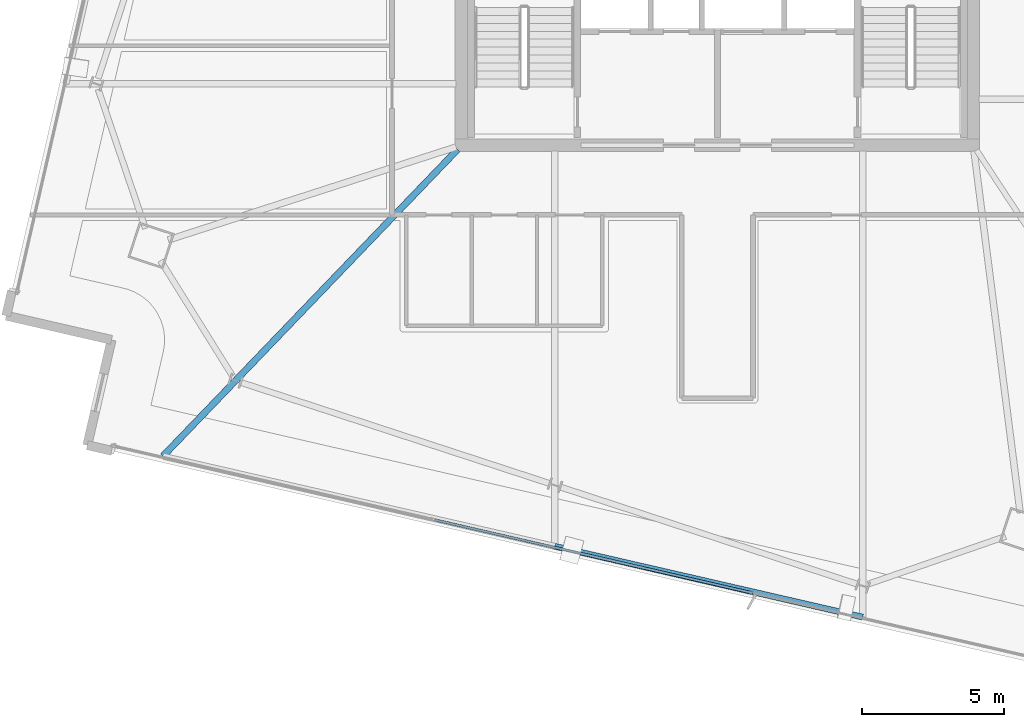
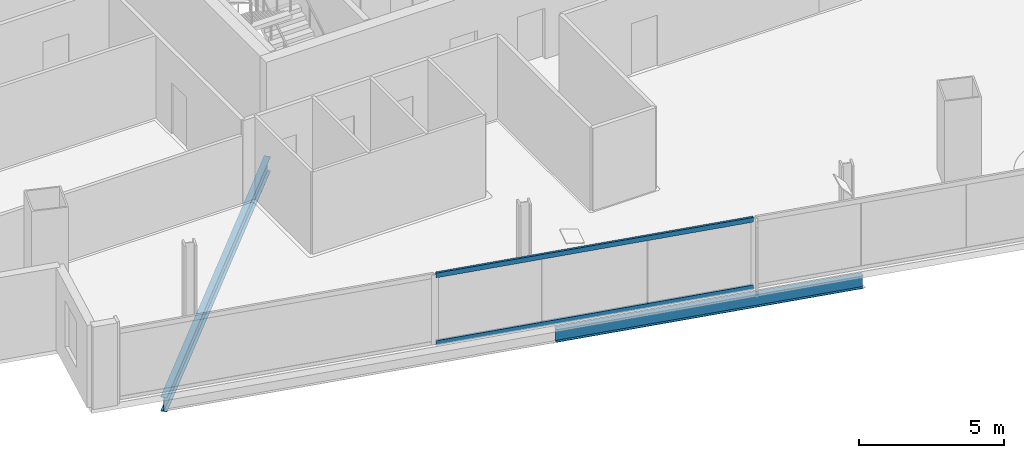
# One storey, part 3 of 28: 2 beams, 2 members, 1 element without a shape of its own.
"""IFC4 building model written with IfcOpenShell, lengths in metres."""

import ifcopenshell
import ifcopenshell.guid

model = None  # the IFC model being written
_history = None  # IfcOwnerHistory: only IFC2X3 demands one
_inside = {}  # id of a spatial element -> (the spatial element, [elements in it])
_under = {}  # id of a project, library or spatial element -> (it, [spatial elements below it])
_declared = {}  # id of a project -> (the project, [libraries it declares])
_typed = {}  # id of a type object -> (the type object, [elements of that type])
_made_of = {}  # id of a material, layer set ... -> (it, [elements and type objects made of it])


def new_model(schema):
    """Start an empty IFC model of exactly this schema.

    Asked for "IFC4X3", IfcOpenShell would pick the latest addendum, in which some entities
    have other attributes; the version numbers below select the first issue.
    IFC2X3 requires an IfcOwnerHistory on every rooted entity: one is made here for all.
    """
    global model, _history
    if schema == "IFC4X3":
        model = ifcopenshell.file(schema_version=(4, 3, 0, 0))
    else:
        model = ifcopenshell.file(schema=schema)
    _inside.clear()
    _under.clear()
    _declared.clear()
    _typed.clear()
    _made_of.clear()
    _history = None
    if model.schema == "IFC2X3":
        org = make("IfcOrganization", Name="unknown")
        user = make(
            "IfcPersonAndOrganization",
            ThePerson=make("IfcPerson", FamilyName="unknown"),
            TheOrganization=org,
        )
        app = make(
            "IfcApplication",
            ApplicationDeveloper=org,
            Version="unknown",
            ApplicationFullName="unknown",
            ApplicationIdentifier="unknown",
        )
        _history = make(
            "IfcOwnerHistory",
            OwningUser=user,
            OwningApplication=app,
            ChangeAction="ADDED",
            CreationDate=0,
        )
    return model


def make(cls, **values):
    """One entity of the class cls with the attributes given. An attribute that is None is left unset."""
    return model.create_entity(
        cls, **{name: value for name, value in values.items() if value is not None}
    )


def rooted(cls, **values):
    """An entity with a GlobalId (a new one), such as an element, a storey or a relation."""
    return make(cls, GlobalId=ifcopenshell.guid.new(), OwnerHistory=_history, **values)


def si_unit(unit_type, name, prefix=None):
    """IfcSIUnit, for example si_unit("LENGTHUNIT", "METRE", prefix="MILLI")."""
    return make("IfcSIUnit", UnitType=unit_type, Prefix=prefix, Name=name)


def assignment(units):
    """IfcUnitAssignment: the units of a project."""
    return None if units is None else make("IfcUnitAssignment", Units=units)


def point(xyz):
    """IfcCartesianPoint."""
    return None if xyz is None else make("IfcCartesianPoint", Coordinates=xyz)


def direction(xyz):
    """IfcDirection."""
    return None if xyz is None else make("IfcDirection", DirectionRatios=xyz)


def frame(location, z_axis=None, x_axis=None):
    """IfcAxis2Placement3D, a coordinate frame: its origin and axes. An axis left out is left unset."""
    return make(
        "IfcAxis2Placement3D",
        Location=point(location),
        Axis=direction(z_axis),
        RefDirection=direction(x_axis),
    )


def frame_2d(location, x_axis=None):
    """IfcAxis2Placement2D, a coordinate frame in the plane: its origin and x axis."""
    return make(
        "IfcAxis2Placement2D", Location=point(location), RefDirection=direction(x_axis)
    )


def origin():
    """The frame at (0, 0, 0) with its axes left unset."""
    return frame((0.0, 0.0, 0.0))


def origin_2d():
    """The frame at (0, 0) in the plane with its x axis left unset."""
    return frame_2d((0.0, 0.0))


def place(relative_to, where):
    """IfcLocalPlacement: puts the frame where relative to a parent placement (None: the world)."""
    return make(
        "IfcLocalPlacement", PlacementRelTo=relative_to, RelativePlacement=where
    )


def context(
    kind, dimensions, precision=None, world=None, true_north=None, identifier=None
):
    """IfcGeometricRepresentationContext, for example the 3D "Model" context."""
    return make(
        "IfcGeometricRepresentationContext",
        ContextIdentifier=identifier,
        ContextType=kind,
        CoordinateSpaceDimension=dimensions,
        Precision=precision,
        WorldCoordinateSystem=world,
        TrueNorth=true_north,
    )


def subcontext(parent, identifier, kind, view, scale=None):
    """IfcGeometricRepresentationSubContext, for example "Body" below "Model"."""
    return make(
        "IfcGeometricRepresentationSubContext",
        ContextIdentifier=identifier,
        ContextType=kind,
        ParentContext=parent,
        TargetScale=scale,
        TargetView=view,
    )


def project(units=None, contexts=None):
    """IfcProject with its units and contexts."""
    return rooted(
        "IfcProject",
        Name="project",
        RepresentationContexts=contexts,
        UnitsInContext=assignment(units),
    )


def spatial(cls, under=None, at=None, **own):
    """A site, building, storey or space (cls), placed at a placement, below another one or the project."""
    s = rooted(cls, ObjectPlacement=at, **own)
    if under is not None:
        _under.setdefault(under.id(), (under, []))[1].append(s)
    return s


def profile(cls, at=None, kind="AREA", **sizes):
    """A parametric profile (cls). Its sizes go by their IFC names, for example OverallWidth=200.0."""
    return make(cls, ProfileType=kind, Position=at, **sizes)


def hollow_rectangle(**sizes):
    """IfcRectangleHollowProfileDef."""
    return profile("IfcRectangleHollowProfileDef", **sizes)


def i_section(**sizes):
    """IfcIShapeProfileDef."""
    return profile("IfcIShapeProfileDef", **sizes)


def extrude(swept, where, along, depth):
    """IfcExtrudedAreaSolid: the profile swept, set in the frame where, extruded along a direction by depth."""
    return make(
        "IfcExtrudedAreaSolid",
        SweptArea=swept,
        Position=where,
        ExtrudedDirection=direction(along),
        Depth=depth,
    )


def shape(context_of_items, identifier, shape_type, items):
    """IfcShapeRepresentation: the items that make up one representation, for example the "Body"."""
    return make(
        "IfcShapeRepresentation",
        ContextOfItems=context_of_items,
        RepresentationIdentifier=identifier,
        RepresentationType=shape_type,
        Items=items,
    )


def material(Name=None, Category=None):
    """IfcMaterial."""
    return make("IfcMaterial", Name=Name, Category=Category)


def material_profile(
    of_material, cross_section, Name=None, Category=None, Priority=None
):
    """IfcMaterialProfile: a cross section and its material."""
    return make(
        "IfcMaterialProfile",
        Name=Name,
        Material=of_material,
        Profile=cross_section,
        Priority=Priority,
        Category=Category,
    )


def profile_set(profiles, Name=None, composite=None):
    """IfcMaterialProfileSet."""
    return make(
        "IfcMaterialProfileSet",
        Name=Name,
        MaterialProfiles=profiles,
        CompositeProfile=composite,
    )


def made_of(thing, what):
    """Note that an element or type object is made of a material, layer set ...; save() writes the relation."""
    if what is not None:
        _made_of.setdefault(what.id(), (what, []))[1].append(thing)
    return thing


def type_object(cls, material=None, **own):
    """A type object (cls), such as IfcWallType, which elements share."""
    return made_of(rooted(cls, **own), material)


def element(
    cls,
    number,
    at=None,
    inside=None,
    cuts=None,
    type_object=None,
    material=None,
    context=None,
    identifier="Body",
    shape_type=None,
    held_by="IfcProductDefinitionShape",
    body=None,
    shapes=None,
    **own,
):
    """One element of the class cls, such as IfcWall. Its Tag is "e" and its number.

    at: its placement. inside: the storey or other place that contains it. cuts: it is an
    opening in that element (IfcRelVoidsElement). A single representation is given by context,
    identifier, shape_type and body (its items); several are given by shapes. held_by: the class
    of the entity that holds the representations. save() writes the other relations.
    """
    e = rooted(cls, Tag="e%d" % number, ObjectPlacement=at, **own)
    if body is not None:
        shapes = [shape(context, identifier, shape_type, body)]
    if shapes is not None:
        e.Representation = make(held_by, Representations=shapes)
    if inside is not None:
        _inside.setdefault(inside.id(), (inside, []))[1].append(e)
    if cuts is not None:
        rooted(
            "IfcRelVoidsElement", RelatingBuildingElement=cuts, RelatedOpeningElement=e
        )
    if type_object is not None:
        _typed.setdefault(type_object.id(), (type_object, []))[1].append(e)
    return made_of(e, material)


def aggregate(whole, parts):
    """IfcRelAggregates: a whole, such as a stair, and the parts it consists of."""
    return rooted("IfcRelAggregates", RelatingObject=whole, RelatedObjects=parts)


def save(model, path):
    """Write the relations noted so far, then the file.

    IfcRelAggregates (storeys below a building ...), IfcRelContainedInSpatialStructure (elements
    in a storey), IfcRelDefinesByType, IfcRelAssociatesMaterial and IfcRelDeclares: one each for
    every whole, place, type object, material and project.
    """
    for whole, parts in _under.values():
        aggregate(whole, parts)
    for where, things in _inside.values():
        rooted(
            "IfcRelContainedInSpatialStructure",
            RelatedElements=things,
            RelatingStructure=where,
        )
    for kind, things in _typed.values():
        rooted("IfcRelDefinesByType", RelatedObjects=things, RelatingType=kind)
    for what, things in _made_of.values():
        rooted("IfcRelAssociatesMaterial", RelatedObjects=things, RelatingMaterial=what)
    for by, libraries in _declared.values():
        rooted("IfcRelDeclares", RelatingContext=by, RelatedDefinitions=libraries)
    model.write(path)


model = new_model("IFC4")

# Units and contexts
model_context = context("Model", 3, precision=1e-05, world=origin(), true_north=direction((0.0, 1.0)))
body_context = subcontext(model_context, "Body", "Model", "MODEL_VIEW")
ifc_project = project(units=[si_unit("LENGTHUNIT", "METRE"), si_unit("AREAUNIT", "SQUARE_METRE"), si_unit("VOLUMEUNIT", "CUBIC_METRE"), si_unit("PLANEANGLEUNIT", "RADIAN"), si_unit("MASSUNIT", "GRAM", prefix="KILO")], contexts=[model_context])

# Site, building, storey
site_placement = place(None, origin())
site = spatial("IfcSite", under=ifc_project, at=site_placement, CompositionType="ELEMENT")
building_placement = place(site_placement, origin())
building = spatial("IfcBuilding", under=site, at=building_placement, Name="Haldenkirk Collegiate Tower", CompositionType="ELEMENT")
storey_placement = place(building_placement, frame((0.0, 0.0, 286.199951171875)))
storey = spatial("IfcBuildingStorey", under=building, at=storey_placement, Name="L72", CompositionType="ELEMENT", Elevation=286.199951171875)

# Beams
ifc_material_1 = material(Name="Steel ASTM A992 Grade 50", Category="steel")
ifc_material_profile_1 = material_profile(ifc_material_1, i_section(OverallWidth=0.22998046875, OverallDepth=0.616943359375, WebThickness=0.01318359375, FlangeThickness=0.022216796875, at=origin_2d()), Name="W24X94")
ifc_profile_set_1 = profile_set([ifc_material_profile_1], Name="Steel ASTM A992 Grade 50")
beam_type_1 = type_object("IfcBeamType", Name="BM-GIRDER-W24X94", PredefinedType="BEAM", material=ifc_profile_set_1)
beam_1_placement = place(storey_placement, frame((16.4912109375, 7.060302734375, -0.578369140625), z_axis=(0.692753897782, 0.721174068521, 0.0), x_axis=(-0.721174068521, 0.692753897782, 0.0)))
element("IfcBeam", 1, at=beam_1_placement, inside=storey, type_object=beam_type_1, Name="L72 primary floor girder 14", PredefinedType="BEAM", context=body_context, shape_type="SweptSolid", body=[
    extrude(i_section(OverallWidth=0.22998046875, OverallDepth=0.616943359375, WebThickness=0.01318359375, FlangeThickness=0.022216796875, at=origin_2d()), origin(), (0.0, 0.0, 1.0), 14.96435546875),
])
ifc_material_profile_2 = material_profile(ifc_material_1, i_section(OverallWidth=0.2099609375, OverallDepth=0.537109375, WebThickness=0.010986328125, FlangeThickness=0.017333984375, at=origin_2d()), Name="W21X68")
ifc_profile_set_2 = profile_set([ifc_material_profile_2], Name="Steel ASTM A992 Grade 50")
beam_type_2 = type_object("IfcBeamType", Name="BM-SPANDREL-W21X68", PredefinedType="SPANDREL", material=ifc_profile_set_2)
beam_2_placement = place(storey_placement, frame((30.283203125, 3.888916015625, -0.538330078125), z_axis=(0.974563490065, -0.224111587905, 0.0), x_axis=(0.224111587905, 0.974563490065, 0.0)))
element("IfcBeam", 2, at=beam_2_placement, inside=storey, type_object=beam_type_2, Name="L72 outer facade edge beam 4B", PredefinedType="SPANDREL", context=body_context, shape_type="SweptSolid", body=[
    extrude(i_section(OverallWidth=0.2099609375, OverallDepth=0.537109375, WebThickness=0.010986328125, FlangeThickness=0.017333984375, at=origin_2d()), origin(), (0.0, 0.0, 1.0), 11.110595703125),
])

# Curtain wall, members
ifc_material_2 = material(Name="Anodised architectural bronze aluminium", Category="aluminium")
curtain_wall_type = type_object("IfcCurtainWallType", Name="CW-SYS1B-CONVEX-HI", PredefinedType="USERDEFINED", material=ifc_material_2)
curtain_wall_placement = place(storey_placement, origin())
curtain_wall = element("IfcCurtainWall", 3, at=curtain_wall_placement, inside=storey, type_object=curtain_wall_type, Name="L72 Upper tower high-wind convex bronze unitised curtain wall", ObjectType="UNITISED CURTAIN WALL", PredefinedType="USERDEFINED")
ifc_material_profile_3 = material_profile(ifc_material_2, hollow_rectangle(XDim=0.0849609375, YDim=0.199951171875, WallThickness=0.0048828125, at=origin_2d()), Name="CW-TRN-1B")
ifc_profile_set_3 = profile_set([ifc_material_profile_3], Name="Anodised architectural bronze aluminium")
member_type = type_object("IfcMemberType", Name="CW-TRN-1B", PredefinedType="USERDEFINED", material=ifc_profile_set_3)
member_1_placement = place(storey_placement, frame((37.23291015625, 2.24951171875, 0.04248046875), z_axis=(-0.974563413462, 0.224111921015, 0.0), x_axis=(-0.224111921015, -0.974563413462, 0.0)))
member_1 = element("IfcMember", 4, at=member_1_placement, type_object=member_type, Name="CW-1B transom 2.1", ObjectType="TRANSOM", PredefinedType="USERDEFINED", context=body_context, shape_type="SweptSolid", body=[
    extrude(hollow_rectangle(XDim=0.0849609375, YDim=0.199951171875, WallThickness=0.0048828125, at=origin_2d()), origin(), (0.0, 0.0, 1.0), 11.47314453125),
])
member_2_placement = place(storey_placement, frame((37.23291015625, 2.24951171875, 2.8955078125), z_axis=(-0.974563413462, 0.224111921015, 0.0), x_axis=(-0.224111921015, -0.974563413462, 0.0)))
member_2 = element("IfcMember", 5, at=member_2_placement, type_object=member_type, Name="CW-1B transom 2.2", ObjectType="TRANSOM", PredefinedType="USERDEFINED", context=body_context, shape_type="SweptSolid", body=[
    extrude(hollow_rectangle(XDim=0.0849609375, YDim=0.199951171875, WallThickness=0.0048828125, at=origin_2d()), origin(), (0.0, 0.0, 1.0), 11.47314453125),
])
aggregate(curtain_wall, [member_1, member_2])

save(model, "model.ifc")
